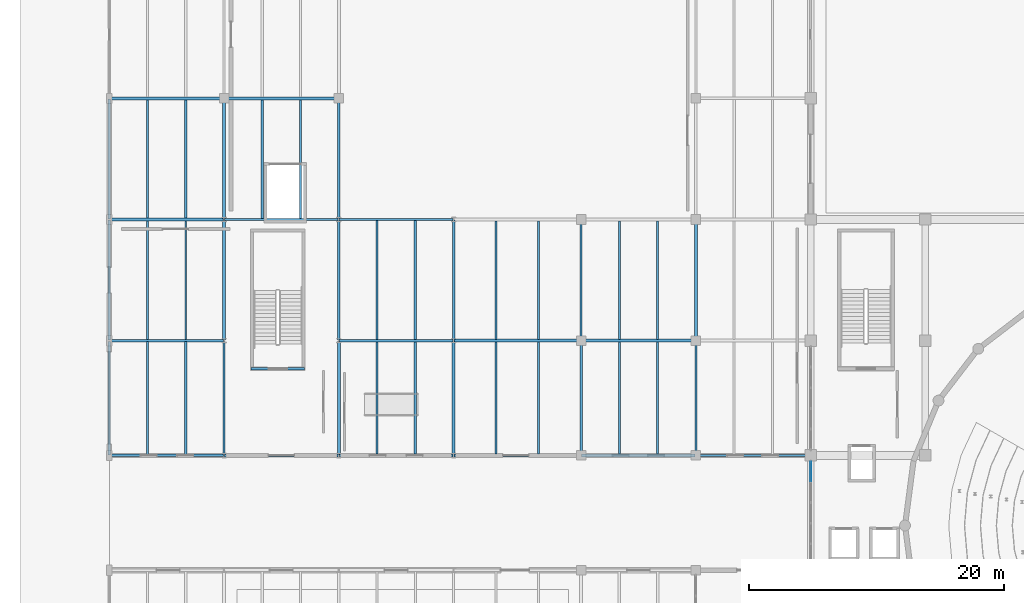
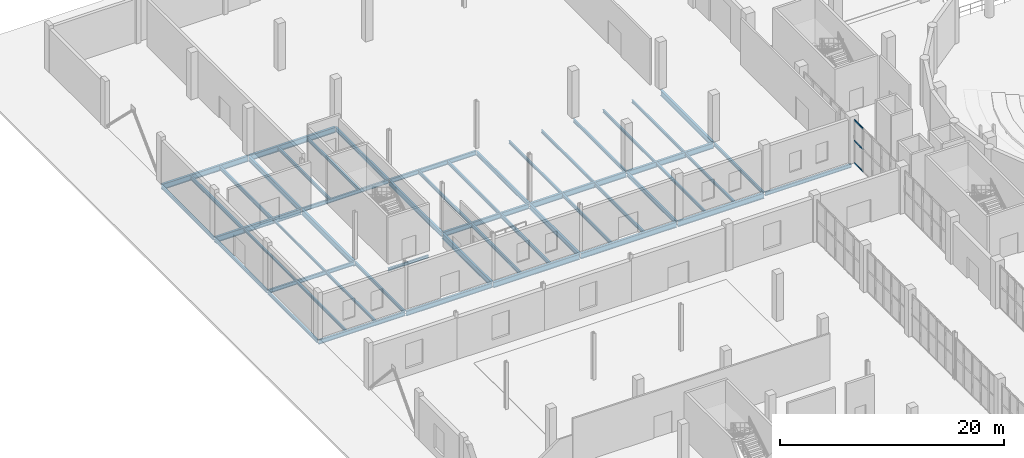
# One storey, part 48 of 103: 51 beams, 3 members, 1 element without a shape of its own.
"""IFC4 building model written with IfcOpenShell, lengths in metres."""

from ifc_helpers import new_model, si_unit, direction, frame, origin, origin_2d, place, context, subcontext, project, spatial, rectangle, i_section, extrude, material, layer, layer_set, material_profile, profile_set, type_object, element, aggregate, save


model = new_model("IFC4")

# Units and contexts
model_context = context("Model", 3, precision=1e-05, world=origin(), true_north=direction((0.0, 1.0)))
body_context = subcontext(model_context, "Body", "Model", "MODEL_VIEW")
ifc_project = project(units=[si_unit("LENGTHUNIT", "METRE"), si_unit("AREAUNIT", "SQUARE_METRE"), si_unit("VOLUMEUNIT", "CUBIC_METRE"), si_unit("PLANEANGLEUNIT", "RADIAN"), si_unit("MASSUNIT", "GRAM", prefix="KILO")], contexts=[model_context])

# Site, building, storey
site_placement = place(None, origin())
site = spatial("IfcSite", under=ifc_project, at=site_placement, CompositionType="ELEMENT")
building_placement = place(site_placement, origin())
building = spatial("IfcBuilding", under=site, at=building_placement, Name="Marnock Terrace Opera House", CompositionType="ELEMENT")
storey_placement = place(building_placement, origin())
storey = spatial("IfcBuildingStorey", under=building, at=storey_placement, Name="L00", CompositionType="ELEMENT", Elevation=0.0)

# Beams
ifc_material_1 = material(Name="Steel Grade 350 (AS/NZS 3679.1)", Category="steel")
ifc_material_profile_1 = material_profile(ifc_material_1, i_section(OverallWidth=0.1708984375, OverallDepth=0.355712890625, WebThickness=0.00732421875, FlangeThickness=0.011474609375, FilletRadius=0.011474609375, at=origin_2d()))
ifc_profile_set_1 = profile_set([ifc_material_profile_1], Name="Steel Grade 350 (AS/NZS 3679.1)")
beam_type_1 = type_object("IfcBeamType", Name="BM-GIRD-360", PredefinedType="BEAM", material=ifc_profile_set_1)
beam_1_placement = place(storey_placement, frame((9.0, 66.050048828125, -0.477783203125), z_axis=(0.0, 1.0, 0.0), x_axis=(-1.0, 0.0, 0.0)))
element("IfcBeam", 1, at=beam_1_placement, inside=storey, type_object=beam_type_1, Name="L00 girder (X=9.0, 66.0..75.0)", PredefinedType="BEAM", context=body_context, shape_type="SweptSolid", body=[
    extrude(i_section(OverallWidth=0.1708984375, OverallDepth=0.355712890625, WebThickness=0.00732421875, FlangeThickness=0.011474609375, FilletRadius=0.011474609375, at=origin_2d()), origin(), (0.0, 0.0, 1.0), 8.89990234375),
])
beam_2_placement = place(storey_placement, frame((37.0, 75.050048828125, -0.477783203125), z_axis=(0.0, 1.0, 0.0), x_axis=(-1.0, 0.0, 0.0)))
element("IfcBeam", 2, at=beam_2_placement, inside=storey, type_object=beam_type_1, Name="L00 girder (X=37.0, 75.0..84.5)", PredefinedType="BEAM", context=body_context, shape_type="SweptSolid", body=[
    extrude(i_section(OverallWidth=0.1708984375, OverallDepth=0.355712890625, WebThickness=0.00732421875, FlangeThickness=0.011474609375, FilletRadius=0.011474609375, at=origin_2d()), origin(), (0.0, 0.0, 1.0), 9.39990234375),
])
beam_3_placement = place(storey_placement, frame((46.0, 66.050048828125, -0.477783203125), z_axis=(0.0, 1.0, 0.0), x_axis=(-1.0, 0.0, 0.0)))
element("IfcBeam", 3, at=beam_3_placement, inside=storey, type_object=beam_type_1, Name="L00 girder (X=46.0, 66.0..75.0)", PredefinedType="BEAM", context=body_context, shape_type="SweptSolid", body=[
    extrude(i_section(OverallWidth=0.1708984375, OverallDepth=0.355712890625, WebThickness=0.00732421875, FlangeThickness=0.011474609375, FilletRadius=0.011474609375, at=origin_2d()), origin(), (0.0, 0.0, 1.0), 8.89990234375),
])
ifc_material_profile_2 = material_profile(ifc_material_1, i_section(OverallWidth=0.177978515625, OverallDepth=0.402587890625, WebThickness=0.007568359375, FlangeThickness=0.010986328125, FilletRadius=0.011474609375, at=origin_2d()))
ifc_profile_set_2 = profile_set([ifc_material_profile_2], Name="Steel Grade 350 (AS/NZS 3679.1)")
beam_type_2 = type_object("IfcBeamType", Name="BM-GIRD-410", PredefinedType="BEAM", material=ifc_profile_set_2)
for number, where, z_axis, x_axis, name in (
    (4, (46.050048828125, 66.0, -0.501220703125), (1.0, 0.0, 0.0), (0.0, 1.0, 0.0), "L00 girder (46.0..55.0, Y=66.0)"),
    (5, (0.050048828125, 75.0, -0.501220703125), (1.0, 0.0, 0.0), (0.0, 1.0, 0.0), "L00 girder (0.0..9.0, Y=75.0)"),
    (6, (9.050048828125, 84.5, -0.501220703125), (1.0, 0.0, 0.0), (0.0, 1.0, 0.0), "L00 girder (9.0..18.0, Y=84.5)"),
):
    element("IfcBeam", number, at=place(storey_placement, frame(where, z_axis=z_axis, x_axis=x_axis)), inside=storey, type_object=beam_type_2, Name=name, PredefinedType="BEAM", context=body_context, shape_type="SweptSolid", body=[
        extrude(i_section(OverallWidth=0.177978515625, OverallDepth=0.402587890625, WebThickness=0.007568359375, FlangeThickness=0.010986328125, FilletRadius=0.011474609375, at=origin_2d()), origin(), (0.0, 0.0, 1.0), 8.89990234375),
    ])
ifc_material_profile_3 = material_profile(ifc_material_1, i_section(OverallWidth=0.19091796875, OverallDepth=0.46044921875, WebThickness=0.010009765625, FlangeThickness=0.01611328125, FilletRadius=0.011474609375, at=origin_2d()))
ifc_profile_set_3 = profile_set([ifc_material_profile_3], Name="Steel Grade 350 (AS/NZS 3679.1)")
beam_type_3 = type_object("IfcBeamType", Name="BM-GIRD-460A", PredefinedType="BEAM", material=ifc_profile_set_3)
for number, where, z_axis, x_axis, name in (
    (7, (0.050048828125, 66.0, -0.5302734375), (1.0, 0.0, 0.0), (0.0, 1.0, 0.0), "L00 girder (0.0..9.0, Y=66.0)"),
    (8, (18.050048828125, 84.5, -0.5302734375), (1.0, 0.0, 0.0), (0.0, 1.0, 0.0), "L00 girder (18.0..27.0, Y=84.5)"),
):
    element("IfcBeam", number, at=place(storey_placement, frame(where, z_axis=z_axis, x_axis=x_axis)), inside=storey, type_object=beam_type_3, Name=name, PredefinedType="BEAM", context=body_context, shape_type="SweptSolid", body=[
        extrude(i_section(OverallWidth=0.19091796875, OverallDepth=0.46044921875, WebThickness=0.010009765625, FlangeThickness=0.01611328125, FilletRadius=0.011474609375, at=origin_2d()), origin(), (0.0, 0.0, 1.0), 8.89990234375),
    ])
ifc_material_profile_4 = material_profile(ifc_material_1, i_section(OverallWidth=0.18994140625, OverallDepth=0.45751953125, WebThickness=0.009033203125, FlangeThickness=0.014404296875, FilletRadius=0.011474609375, at=origin_2d()))
ifc_profile_set_4 = profile_set([ifc_material_profile_4], Name="Steel Grade 350 (AS/NZS 3679.1)")
beam_type_4 = type_object("IfcBeamType", Name="BM-GIRD-460B", PredefinedType="BEAM", material=ifc_profile_set_4)
for number, where, z_axis, x_axis, name in (
    (9, (18.0, 84.550048828125, -0.52880859375), (0.0, 1.0, 0.0), (-1.0, 0.0, 0.0), "L00 girder (X=18.0, 84.5..94.0)"),
    (10, (27.0, 75.050048828125, -0.52880859375), (0.0, 1.0, 0.0), (-1.0, 0.0, 0.0), "L00 girder (X=27.0, 75.0..84.5)"),
):
    element("IfcBeam", number, at=place(storey_placement, frame(where, z_axis=z_axis, x_axis=x_axis)), inside=storey, type_object=beam_type_4, Name=name, PredefinedType="BEAM", context=body_context, shape_type="SweptSolid", body=[
        extrude(i_section(OverallWidth=0.18994140625, OverallDepth=0.45751953125, WebThickness=0.009033203125, FlangeThickness=0.014404296875, FilletRadius=0.011474609375, at=origin_2d()), origin(), (0.0, 0.0, 1.0), 9.39990234375),
    ])
beam_4_placement = place(storey_placement, frame((37.0, 66.050048828125, -0.52880859375), z_axis=(0.0, 1.0, 0.0), x_axis=(-1.0, 0.0, 0.0)))
element("IfcBeam", 11, at=beam_4_placement, inside=storey, type_object=beam_type_4, Name="L00 girder (X=37.0, 66.0..75.0)", PredefinedType="BEAM", context=body_context, shape_type="SweptSolid", body=[
    extrude(i_section(OverallWidth=0.18994140625, OverallDepth=0.45751953125, WebThickness=0.009033203125, FlangeThickness=0.014404296875, FilletRadius=0.011474609375, at=origin_2d()), origin(), (0.0, 0.0, 1.0), 8.89990234375),
])
ifc_material_profile_5 = material_profile(ifc_material_1, i_section(OverallWidth=0.208984375, OverallDepth=0.532958984375, WebThickness=0.01025390625, FlangeThickness=0.015625, FilletRadius=0.013916015625, at=origin_2d()))
ifc_profile_set_5 = profile_set([ifc_material_profile_5], Name="Steel Grade 350 (AS/NZS 3679.1)")
beam_type_5 = type_object("IfcBeamType", Name="BM-GIRD-530A", PredefinedType="BEAM", material=ifc_profile_set_5)
for number, where, z_axis, x_axis, name in (
    (12, (9.050048828125, 66.0, -0.56640625), (1.0, 0.0, 0.0), (0.0, 1.0, 0.0), "L00 girder (9.0..18.0, Y=66.0)"),
    (13, (18.050048828125, 75.0, -0.56640625), (1.0, 0.0, 0.0), (0.0, 1.0, 0.0), "L00 girder (18.0..27.0, Y=75.0)"),
):
    element("IfcBeam", number, at=place(storey_placement, frame(where, z_axis=z_axis, x_axis=x_axis)), inside=storey, type_object=beam_type_5, Name=name, PredefinedType="BEAM", context=body_context, shape_type="SweptSolid", body=[
        extrude(i_section(OverallWidth=0.208984375, OverallDepth=0.532958984375, WebThickness=0.01025390625, FlangeThickness=0.015625, FilletRadius=0.013916015625, at=origin_2d()), origin(), (0.0, 0.0, 1.0), 8.89990234375),
    ])
ifc_material_profile_6 = material_profile(ifc_material_1, i_section(OverallWidth=0.208984375, OverallDepth=0.528076171875, WebThickness=0.009521484375, FlangeThickness=0.01318359375, FilletRadius=0.013916015625, at=origin_2d()))
ifc_profile_set_6 = profile_set([ifc_material_profile_6], Name="Steel Grade 350 (AS/NZS 3679.1)")
beam_type_6 = type_object("IfcBeamType", Name="BM-GIRD-530B", PredefinedType="BEAM", material=ifc_profile_set_6)
for number, where, z_axis, x_axis, name in (
    (14, (9.0, 84.550048828125, -0.56396484375), (0.0, 1.0, 0.0), (-1.0, 0.0, 0.0), "L00 girder (X=9.0, 84.5..94.0)"),
    (15, (18.0, 75.050048828125, -0.56396484375), (0.0, 1.0, 0.0), (-1.0, 0.0, 0.0), "L00 girder (X=18.0, 75.0..84.5)"),
):
    element("IfcBeam", number, at=place(storey_placement, frame(where, z_axis=z_axis, x_axis=x_axis)), inside=storey, type_object=beam_type_6, Name=name, PredefinedType="BEAM", context=body_context, shape_type="SweptSolid", body=[
        extrude(i_section(OverallWidth=0.208984375, OverallDepth=0.528076171875, WebThickness=0.009521484375, FlangeThickness=0.01318359375, FilletRadius=0.013916015625, at=origin_2d()), origin(), (0.0, 0.0, 1.0), 9.39990234375),
    ])
beam_5_placement = place(storey_placement, frame((27.0, 66.050048828125, -0.56396484375), z_axis=(0.0, 1.0, 0.0), x_axis=(-1.0, 0.0, 0.0)))
element("IfcBeam", 16, at=beam_5_placement, inside=storey, type_object=beam_type_6, Name="L00 girder (X=27.0, 66.0..75.0)", PredefinedType="BEAM", context=body_context, shape_type="SweptSolid", body=[
    extrude(i_section(OverallWidth=0.208984375, OverallDepth=0.528076171875, WebThickness=0.009521484375, FlangeThickness=0.01318359375, FilletRadius=0.013916015625, at=origin_2d()), origin(), (0.0, 0.0, 1.0), 8.89990234375),
])
ifc_material_profile_7 = material_profile(ifc_material_1, i_section(OverallWidth=0.22900390625, OverallDepth=0.611572265625, WebThickness=0.011962890625, FlangeThickness=0.01953125, FilletRadius=0.013916015625, at=origin_2d()))
ifc_profile_set_7 = profile_set([ifc_material_profile_7], Name="Steel Grade 350 (AS/NZS 3679.1)")
beam_type_7 = type_object("IfcBeamType", Name="BM-GIRD-610A", PredefinedType="BEAM", material=ifc_profile_set_7)
beam_6_placement = place(storey_placement, frame((27.050048828125, 66.0, -0.605712890625), z_axis=(1.0, 0.0, 0.0), x_axis=(0.0, 1.0, 0.0)))
element("IfcBeam", 17, at=beam_6_placement, inside=storey, type_object=beam_type_7, Name="L00 girder (27.0..37.0, Y=66.0)", PredefinedType="BEAM", context=body_context, shape_type="SweptSolid", body=[
    extrude(i_section(OverallWidth=0.22900390625, OverallDepth=0.611572265625, WebThickness=0.011962890625, FlangeThickness=0.01953125, FilletRadius=0.013916015625, at=origin_2d()), origin(), (0.0, 0.0, 1.0), 9.89990234375),
])
for number, where, z_axis, x_axis, name in (
    (18, (37.050048828125, 66.0, -0.605712890625), (1.0, 0.0, 0.0), (0.0, 1.0, 0.0), "L00 girder (37.0..46.0, Y=66.0)"),
    (19, (0.050048828125, 84.5, -0.605712890625), (1.0, 0.0, 0.0), (0.0, 1.0, 0.0), "L00 girder (0.0..9.0, Y=84.5)"),
    (20, (9.050048828125, 94.0, -0.605712890625), (1.0, 0.0, 0.0), (0.0, 1.0, 0.0), "L00 girder (9.0..18.0, Y=94.0)"),
):
    element("IfcBeam", number, at=place(storey_placement, frame(where, z_axis=z_axis, x_axis=x_axis)), inside=storey, type_object=beam_type_7, Name=name, PredefinedType="BEAM", context=body_context, shape_type="SweptSolid", body=[
        extrude(i_section(OverallWidth=0.22900390625, OverallDepth=0.611572265625, WebThickness=0.011962890625, FlangeThickness=0.01953125, FilletRadius=0.013916015625, at=origin_2d()), origin(), (0.0, 0.0, 1.0), 8.89990234375),
    ])
ifc_material_profile_8 = material_profile(ifc_material_1, i_section(OverallWidth=0.22802734375, OverallDepth=0.60693359375, WebThickness=0.01123046875, FlangeThickness=0.017333984375, FilletRadius=0.013916015625, at=origin_2d()))
ifc_profile_set_8 = profile_set([ifc_material_profile_8], Name="Steel Grade 350 (AS/NZS 3679.1)")
beam_type_8 = type_object("IfcBeamType", Name="BM-GIRD-610B", PredefinedType="BEAM", material=ifc_profile_set_8)
beam_7_placement = place(storey_placement, frame((18.050048828125, 66.0, -0.603515625), z_axis=(1.0, 0.0, 0.0), x_axis=(0.0, 1.0, 0.0)))
element("IfcBeam", 21, at=beam_7_placement, inside=storey, type_object=beam_type_8, Name="L00 girder (18.0..27.0, Y=66.0)", PredefinedType="BEAM", context=body_context, shape_type="SweptSolid", body=[
    extrude(i_section(OverallWidth=0.22802734375, OverallDepth=0.60693359375, WebThickness=0.01123046875, FlangeThickness=0.017333984375, FilletRadius=0.013916015625, at=origin_2d()), origin(), (0.0, 0.0, 1.0), 8.89990234375),
])
beam_8_placement = place(storey_placement, frame((27.050048828125, 75.0, -0.603515625), z_axis=(1.0, 0.0, 0.0), x_axis=(0.0, 1.0, 0.0)))
element("IfcBeam", 22, at=beam_8_placement, inside=storey, type_object=beam_type_8, Name="L00 girder (27.0..37.0, Y=75.0)", PredefinedType="BEAM", context=body_context, shape_type="SweptSolid", body=[
    extrude(i_section(OverallWidth=0.22802734375, OverallDepth=0.60693359375, WebThickness=0.01123046875, FlangeThickness=0.017333984375, FilletRadius=0.013916015625, at=origin_2d()), origin(), (0.0, 0.0, 1.0), 9.89990234375),
])
for number, where, z_axis, x_axis, name in (
    (23, (37.050048828125, 75.0, -0.603515625), (1.0, 0.0, 0.0), (0.0, 1.0, 0.0), "L00 girder (37.0..46.0, Y=75.0)"),
    (24, (0.050048828125, 94.0, -0.603515625), (1.0, 0.0, 0.0), (0.0, 1.0, 0.0), "L00 girder (0.0..9.0, Y=94.0)"),
):
    element("IfcBeam", number, at=place(storey_placement, frame(where, z_axis=z_axis, x_axis=x_axis)), inside=storey, type_object=beam_type_8, Name=name, PredefinedType="BEAM", context=body_context, shape_type="SweptSolid", body=[
        extrude(i_section(OverallWidth=0.22802734375, OverallDepth=0.60693359375, WebThickness=0.01123046875, FlangeThickness=0.017333984375, FilletRadius=0.013916015625, at=origin_2d()), origin(), (0.0, 0.0, 1.0), 8.89990234375),
    ])
ifc_material_profile_9 = material_profile(ifc_material_1, i_section(OverallWidth=0.22802734375, OverallDepth=0.60205078125, WebThickness=0.010498046875, FlangeThickness=0.014892578125, FilletRadius=0.013916015625, at=origin_2d()))
ifc_profile_set_9 = profile_set([ifc_material_profile_9], Name="Steel Grade 350 (AS/NZS 3679.1)")
beam_type_9 = type_object("IfcBeamType", Name="BM-GIRD-610C", PredefinedType="BEAM", material=ifc_profile_set_9)
beam_9_placement = place(storey_placement, frame((9.0, 75.050048828125, -0.60107421875), z_axis=(0.0, 1.0, 0.0), x_axis=(-1.0, 0.0, 0.0)))
element("IfcBeam", 25, at=beam_9_placement, inside=storey, type_object=beam_type_9, Name="L00 girder (X=9.0, 75.0..84.5)", PredefinedType="BEAM", context=body_context, shape_type="SweptSolid", body=[
    extrude(i_section(OverallWidth=0.22802734375, OverallDepth=0.60205078125, WebThickness=0.010498046875, FlangeThickness=0.014892578125, FilletRadius=0.013916015625, at=origin_2d()), origin(), (0.0, 0.0, 1.0), 9.39990234375),
])
beam_10_placement = place(storey_placement, frame((18.0, 66.050048828125, -0.60107421875), z_axis=(0.0, 1.0, 0.0), x_axis=(-1.0, 0.0, 0.0)))
element("IfcBeam", 26, at=beam_10_placement, inside=storey, type_object=beam_type_9, Name="L00 girder (X=18.0, 66.0..75.0)", PredefinedType="BEAM", context=body_context, shape_type="SweptSolid", body=[
    extrude(i_section(OverallWidth=0.22802734375, OverallDepth=0.60205078125, WebThickness=0.010498046875, FlangeThickness=0.014892578125, FilletRadius=0.013916015625, at=origin_2d()), origin(), (0.0, 0.0, 1.0), 8.89990234375),
])
beam_11_placement = place(storey_placement, frame((46.0, 75.050048828125, -0.60107421875), z_axis=(0.0, 1.0, 0.0), x_axis=(-1.0, 0.0, 0.0)))
element("IfcBeam", 27, at=beam_11_placement, inside=storey, type_object=beam_type_9, Name="L00 girder (X=46.0, 75.0..84.5)", PredefinedType="BEAM", context=body_context, shape_type="SweptSolid", body=[
    extrude(i_section(OverallWidth=0.22802734375, OverallDepth=0.60205078125, WebThickness=0.010498046875, FlangeThickness=0.014892578125, FilletRadius=0.013916015625, at=origin_2d()), origin(), (0.0, 0.0, 1.0), 9.39990234375),
])
ifc_material_profile_10 = material_profile(ifc_material_1, i_section(OverallWidth=0.14599609375, OverallDepth=0.256103515625, WebThickness=0.00634765625, FlangeThickness=0.010986328125, FilletRadius=0.0087890625, at=origin_2d()))
ifc_profile_set_10 = profile_set([ifc_material_profile_10], Name="Steel Grade 350 (AS/NZS 3679.1)")
beam_type_10 = type_object("IfcBeamType", Name="BM-JOIST-250", PredefinedType="JOIST", material=ifc_profile_set_10)
for number, where, z_axis, x_axis, name in (
    (28, (3.0, 75.083984375, -0.427978515625), (0.0, 1.0, 0.0), (-1.0, 0.0, 0.0), "L00 secondary joist 0.9.1"),
    (29, (6.0, 75.083984375, -0.427978515625), (0.0, 1.0, 0.0), (-1.0, 0.0, 0.0), "L00 secondary joist 0.9.2"),
):
    element("IfcBeam", number, at=place(storey_placement, frame(where, z_axis=z_axis, x_axis=x_axis)), inside=storey, type_object=beam_type_10, Name=name, PredefinedType="JOIST", context=body_context, shape_type="SweptSolid", body=[
        extrude(i_section(OverallWidth=0.14599609375, OverallDepth=0.256103515625, WebThickness=0.00634765625, FlangeThickness=0.010986328125, FilletRadius=0.0087890625, at=origin_2d()), origin(), (0.0, 0.0, 1.0), 9.306396484375),
    ])
ifc_material_profile_11 = material_profile(ifc_material_1, i_section(OverallWidth=0.166015625, OverallDepth=0.30712890625, WebThickness=0.006591796875, FlangeThickness=0.01171875, FilletRadius=0.011474609375, at=origin_2d()))
ifc_profile_set_11 = profile_set([ifc_material_profile_11], Name="Steel Grade 350 (AS/NZS 3679.1)")
beam_type_11 = type_object("IfcBeamType", Name="BM-JOIST-310A", PredefinedType="JOIST", material=ifc_profile_set_11)
for number, where, z_axis, x_axis, name in (
    (30, (30.333251953125, 75.10888671875, -0.45361328125), (0.0, 1.0, 0.0), (-1.0, 0.0, 0.0), "L00 secondary joist 3.9.1"),
    (31, (33.666748046875, 75.10888671875, -0.45361328125), (0.0, 1.0, 0.0), (-1.0, 0.0, 0.0), "L00 secondary joist 3.9.2"),
):
    element("IfcBeam", number, at=place(storey_placement, frame(where, z_axis=z_axis, x_axis=x_axis)), inside=storey, type_object=beam_type_11, Name=name, PredefinedType="JOIST", context=body_context, shape_type="SweptSolid", body=[
        extrude(i_section(OverallWidth=0.166015625, OverallDepth=0.30712890625, WebThickness=0.006591796875, FlangeThickness=0.01171875, FilletRadius=0.011474609375, at=origin_2d()), origin(), (0.0, 0.0, 1.0), 9.29150390625),
    ])
for number, where, z_axis, x_axis, name in (
    (32, (40.0, 66.109619140625, -0.45361328125), (0.0, 1.0, 0.0), (-1.0, 0.0, 0.0), "L00 secondary joist 4.8.1"),
    (33, (43.0, 66.109619140625, -0.45361328125), (0.0, 1.0, 0.0), (-1.0, 0.0, 0.0), "L00 secondary joist 4.8.2"),
):
    element("IfcBeam", number, at=place(storey_placement, frame(where, z_axis=z_axis, x_axis=x_axis)), inside=storey, type_object=beam_type_11, Name=name, PredefinedType="JOIST", context=body_context, shape_type="SweptSolid", body=[
        extrude(i_section(OverallWidth=0.166015625, OverallDepth=0.30712890625, WebThickness=0.006591796875, FlangeThickness=0.01171875, FilletRadius=0.011474609375, at=origin_2d()), origin(), (0.0, 0.0, 1.0), 8.781494140625),
    ])
ifc_material_profile_12 = material_profile(ifc_material_1, i_section(OverallWidth=0.1650390625, OverallDepth=0.3037109375, WebThickness=0.006103515625, FlangeThickness=0.01025390625, FilletRadius=0.011474609375, at=origin_2d()))
ifc_profile_set_12 = profile_set([ifc_material_profile_12], Name="Steel Grade 350 (AS/NZS 3679.1)")
beam_type_12 = type_object("IfcBeamType", Name="BM-JOIST-310B", PredefinedType="JOIST", material=ifc_profile_set_12)
for number, where, z_axis, x_axis, name in (
    (34, (3.0, 66.090576171875, -0.451904296875), (0.0, 1.0, 0.0), (-1.0, 0.0, 0.0), "L00 secondary joist 0.8.1"),
    (35, (6.0, 66.090576171875, -0.451904296875), (0.0, 1.0, 0.0), (-1.0, 0.0, 0.0), "L00 secondary joist 0.8.2"),
):
    element("IfcBeam", number, at=place(storey_placement, frame(where, z_axis=z_axis, x_axis=x_axis)), inside=storey, type_object=beam_type_12, Name=name, PredefinedType="JOIST", context=body_context, shape_type="SweptSolid", body=[
        extrude(i_section(OverallWidth=0.1650390625, OverallDepth=0.3037109375, WebThickness=0.006103515625, FlangeThickness=0.01025390625, FilletRadius=0.011474609375, at=origin_2d()), origin(), (0.0, 0.0, 1.0), 8.825439453125),
    ])
for number, where, z_axis, x_axis, name in (
    (36, (40.0, 75.10888671875, -0.451904296875), (0.0, 1.0, 0.0), (-1.0, 0.0, 0.0), "L00 secondary joist 4.9.1"),
    (37, (43.0, 75.10888671875, -0.451904296875), (0.0, 1.0, 0.0), (-1.0, 0.0, 0.0), "L00 secondary joist 4.9.2"),
):
    element("IfcBeam", number, at=place(storey_placement, frame(where, z_axis=z_axis, x_axis=x_axis)), inside=storey, type_object=beam_type_12, Name=name, PredefinedType="JOIST", context=body_context, shape_type="SweptSolid", body=[
        extrude(i_section(OverallWidth=0.1650390625, OverallDepth=0.3037109375, WebThickness=0.006103515625, FlangeThickness=0.01025390625, FilletRadius=0.011474609375, at=origin_2d()), origin(), (0.0, 0.0, 1.0), 9.29150390625),
    ])
ifc_material_profile_13 = material_profile(ifc_material_1, i_section(OverallWidth=0.172119140625, OverallDepth=0.358642578125, WebThickness=0.008056640625, FlangeThickness=0.012939453125, FilletRadius=0.011474609375, at=origin_2d()))
ifc_profile_set_13 = profile_set([ifc_material_profile_13], Name="Steel Grade 350 (AS/NZS 3679.1)")
beam_type_13 = type_object("IfcBeamType", Name="BM-JOIST-360", PredefinedType="JOIST", material=ifc_profile_set_13)
for number, where, z_axis, x_axis, name in (
    (38, (12.0, 84.583984375, -0.479248046875), (0.0, 1.0, 0.0), (-1.0, 0.0, 0.0), "L00 secondary joist 1.10.1"),
    (39, (15.0, 84.583984375, -0.479248046875), (0.0, 1.0, 0.0), (-1.0, 0.0, 0.0), "L00 secondary joist 1.10.2"),
):
    element("IfcBeam", number, at=place(storey_placement, frame(where, z_axis=z_axis, x_axis=x_axis)), inside=storey, type_object=beam_type_13, Name=name, PredefinedType="JOIST", context=body_context, shape_type="SweptSolid", body=[
        extrude(i_section(OverallWidth=0.172119140625, OverallDepth=0.358642578125, WebThickness=0.008056640625, FlangeThickness=0.012939453125, FilletRadius=0.011474609375, at=origin_2d()), origin(), (0.0, 0.0, 1.0), 9.306396484375),
    ])
for number, where, z_axis, x_axis, name in (
    (40, (21.0, 75.099609375, -0.479248046875), (0.0, 1.0, 0.0), (-1.0, 0.0, 0.0), "L00 secondary joist 2.9.1"),
    (41, (24.0, 75.099609375, -0.479248046875), (0.0, 1.0, 0.0), (-1.0, 0.0, 0.0), "L00 secondary joist 2.9.2"),
):
    element("IfcBeam", number, at=place(storey_placement, frame(where, z_axis=z_axis, x_axis=x_axis)), inside=storey, type_object=beam_type_13, Name=name, PredefinedType="JOIST", context=body_context, shape_type="SweptSolid", body=[
        extrude(i_section(OverallWidth=0.172119140625, OverallDepth=0.358642578125, WebThickness=0.008056640625, FlangeThickness=0.012939453125, FilletRadius=0.011474609375, at=origin_2d()), origin(), (0.0, 0.0, 1.0), 9.309814453125),
    ])
for number, where, z_axis, x_axis, name in (
    (42, (30.333251953125, 66.109619140625, -0.479248046875), (0.0, 1.0, 0.0), (-1.0, 0.0, 0.0), "L00 secondary joist 3.8.1"),
    (43, (33.666748046875, 66.109619140625, -0.479248046875), (0.0, 1.0, 0.0), (-1.0, 0.0, 0.0), "L00 secondary joist 3.8.2"),
):
    element("IfcBeam", number, at=place(storey_placement, frame(where, z_axis=z_axis, x_axis=x_axis)), inside=storey, type_object=beam_type_13, Name=name, PredefinedType="JOIST", context=body_context, shape_type="SweptSolid", body=[
        extrude(i_section(OverallWidth=0.172119140625, OverallDepth=0.358642578125, WebThickness=0.008056640625, FlangeThickness=0.012939453125, FilletRadius=0.011474609375, at=origin_2d()), origin(), (0.0, 0.0, 1.0), 8.781494140625),
    ])
ifc_material_profile_14 = material_profile(ifc_material_1, i_section(OverallWidth=0.177978515625, OverallDepth=0.406494140625, WebThickness=0.0078125, FlangeThickness=0.0126953125, FilletRadius=0.011474609375, at=origin_2d()))
ifc_profile_set_14 = profile_set([ifc_material_profile_14], Name="Steel Grade 350 (AS/NZS 3679.1)")
beam_type_14 = type_object("IfcBeamType", Name="BM-JOIST-410", PredefinedType="JOIST", material=ifc_profile_set_14)
for number, where, z_axis, x_axis, name in (
    (44, (3.0, 84.609619140625, -0.503173828125), (0.0, 1.0, 0.0), (-1.0, 0.0, 0.0), "L00 secondary joist 0.10.1"),
    (45, (6.0, 84.609619140625, -0.503173828125), (0.0, 1.0, 0.0), (-1.0, 0.0, 0.0), "L00 secondary joist 0.10.2"),
):
    element("IfcBeam", number, at=place(storey_placement, frame(where, z_axis=z_axis, x_axis=x_axis)), inside=storey, type_object=beam_type_14, Name=name, PredefinedType="JOIST", context=body_context, shape_type="SweptSolid", body=[
        extrude(i_section(OverallWidth=0.177978515625, OverallDepth=0.406494140625, WebThickness=0.0078125, FlangeThickness=0.0126953125, FilletRadius=0.011474609375, at=origin_2d()), origin(), (0.0, 0.0, 1.0), 9.281494140625),
    ])
for number, where, z_axis, x_axis, name in (
    (46, (21.0, 66.10888671875, -0.503173828125), (0.0, 1.0, 0.0), (-1.0, 0.0, 0.0), "L00 secondary joist 2.8.1"),
    (47, (24.0, 66.10888671875, -0.503173828125), (0.0, 1.0, 0.0), (-1.0, 0.0, 0.0), "L00 secondary joist 2.8.2"),
):
    element("IfcBeam", number, at=place(storey_placement, frame(where, z_axis=z_axis, x_axis=x_axis)), inside=storey, type_object=beam_type_14, Name=name, PredefinedType="JOIST", context=body_context, shape_type="SweptSolid", body=[
        extrude(i_section(OverallWidth=0.177978515625, OverallDepth=0.406494140625, WebThickness=0.0078125, FlangeThickness=0.0126953125, FilletRadius=0.011474609375, at=origin_2d()), origin(), (0.0, 0.0, 1.0), 8.79150390625),
    ])
ifc_material_profile_15 = material_profile(ifc_material_1, i_section(OverallWidth=0.166015625, OverallDepth=0.30712890625, WebThickness=0.006591796875, FlangeThickness=0.01171875, FilletRadius=0.011474609375, at=origin_2d()))
ifc_profile_set_15 = profile_set([ifc_material_profile_15], Name="Steel Grade 350 (AS/NZS 3679.1)")
beam_type_15 = type_object("IfcBeamType", Name="BM-LINT-310", PredefinedType="LINTEL", material=ifc_profile_set_15)
beam_12_placement = place(storey_placement, frame((11.1201171875, 72.800048828125, -0.64990234375), z_axis=(1.0, 0.0, 0.0), x_axis=(0.0, 1.0, 0.0)))
element("IfcBeam", 48, at=beam_12_placement, inside=storey, type_object=beam_type_15, Name="B1 Core C7 coupling lintel", PredefinedType="LINTEL", context=body_context, shape_type="SweptSolid", body=[
    extrude(i_section(OverallWidth=0.166015625, OverallDepth=0.30712890625, WebThickness=0.006591796875, FlangeThickness=0.01171875, FilletRadius=0.011474609375, at=origin_2d()), origin(), (0.0, 0.0, 1.0), 4.199951171875),
])
ifc_material_profile_16 = material_profile(ifc_material_1, i_section(OverallWidth=0.172119140625, OverallDepth=0.358642578125, WebThickness=0.008056640625, FlangeThickness=0.012939453125, FilletRadius=0.011474609375, at=origin_2d()))
ifc_profile_set_16 = profile_set([ifc_material_profile_16], Name="Steel Grade 350 (AS/NZS 3679.1)")
beam_type_16 = type_object("IfcBeamType", Name="BM-SPAN-360", PredefinedType="SPANDREL", material=ifc_profile_set_16)
beam_13_placement = place(storey_placement, frame((0.0, 66.050048828125, -0.479248046875), z_axis=(0.0, 1.0, 0.0), x_axis=(-1.0, 0.0, 0.0)))
element("IfcBeam", 49, at=beam_13_placement, inside=storey, type_object=beam_type_16, Name="L00 girder (X=0.0, 66.0..75.0)", PredefinedType="SPANDREL", context=body_context, shape_type="SweptSolid", body=[
    extrude(i_section(OverallWidth=0.172119140625, OverallDepth=0.358642578125, WebThickness=0.008056640625, FlangeThickness=0.012939453125, FilletRadius=0.011474609375, at=origin_2d()), origin(), (0.0, 0.0, 1.0), 8.89990234375),
])
for number, where, z_axis, x_axis, name in (
    (50, (0.0, 75.050048828125, -0.479248046875), (0.0, 1.0, 0.0), (-1.0, 0.0, 0.0), "L00 girder (X=0.0, 75.0..84.5)"),
    (51, (0.0, 84.550048828125, -0.479248046875), (0.0, 1.0, 0.0), (-1.0, 0.0, 0.0), "L00 girder (X=0.0, 84.5..94.0)"),
):
    element("IfcBeam", number, at=place(storey_placement, frame(where, z_axis=z_axis, x_axis=x_axis)), inside=storey, type_object=beam_type_16, Name=name, PredefinedType="SPANDREL", context=body_context, shape_type="SweptSolid", body=[
        extrude(i_section(OverallWidth=0.172119140625, OverallDepth=0.358642578125, WebThickness=0.008056640625, FlangeThickness=0.012939453125, FilletRadius=0.011474609375, at=origin_2d()), origin(), (0.0, 0.0, 1.0), 9.39990234375),
    ])

# Curtain wall, members
ifc_material_2 = material(Name="Anodised architectural bronze aluminium framing", Category="aluminium")
ifc_layer = layer(ifc_material_2, 0.159912109375)
ifc_layer_set = layer_set([ifc_layer], Name="Anodised architectural bronze aluminium framing")
curtain_wall_type = type_object("IfcCurtainWallType", Name="CW-FOYER-90x51", PredefinedType="NOTDEFINED", material=ifc_layer_set)
curtain_wall_placement = place(storey_placement, origin())
curtain_wall = element("IfcCurtainWall", 52, at=curtain_wall_placement, inside=storey, type_object=curtain_wall_type, Name="L00 glazed Beaux-Arts colonnade curtain wall CW-V1W-L00-07", PredefinedType="NOTDEFINED")
ifc_material_profile_17 = material_profile(ifc_material_2, rectangle(XDim=0.06005859375, YDim=0.1298828125, at=origin_2d()))
ifc_profile_set_17 = profile_set([ifc_material_profile_17], Name="Anodised architectural bronze aluminium framing")
member_type = type_object("IfcMemberType", Name="CWT-60x130", PredefinedType="USERDEFINED", material=ifc_profile_set_17)
member_1_placement = place(storey_placement, frame((55.0, 63.96240234375, 0.030029296875), z_axis=(0.0, 1.0, 0.0), x_axis=(-1.0, 0.0, 0.0)))
member_1 = element("IfcMember", 53, at=member_1_placement, type_object=member_type, Name="CW-31 transom 5.1", ObjectType="TRANSOM", PredefinedType="USERDEFINED", context=body_context, shape_type="SweptSolid", body=[
    extrude(rectangle(XDim=0.06005859375, YDim=0.1298828125, at=origin_2d()), origin(), (0.0, 0.0, 1.0), 1.531494140625),
])
member_2_placement = place(storey_placement, frame((55.0, 63.96240234375, 2.4619140625), z_axis=(0.0, 1.0, 0.0), x_axis=(-1.0, 0.0, 0.0)))
member_2 = element("IfcMember", 54, at=member_2_placement, type_object=member_type, Name="CW-31 transom 5.2", ObjectType="TRANSOM", PredefinedType="USERDEFINED", context=body_context, shape_type="SweptSolid", body=[
    extrude(rectangle(XDim=0.06005859375, YDim=0.1298828125, at=origin_2d()), origin(), (0.0, 0.0, 1.0), 1.531494140625),
])
member_3_placement = place(storey_placement, frame((55.0, 63.96240234375, 4.704345703125), z_axis=(0.0, 1.0, 0.0), x_axis=(-1.0, 0.0, 0.0)))
member_3 = element("IfcMember", 55, at=member_3_placement, type_object=member_type, Name="CW-31 transom 5.3", ObjectType="TRANSOM", PredefinedType="USERDEFINED", context=body_context, shape_type="SweptSolid", body=[
    extrude(rectangle(XDim=0.06005859375, YDim=0.1298828125, at=origin_2d()), origin(), (0.0, 0.0, 1.0), 1.531494140625),
])
aggregate(curtain_wall, [member_1, member_2, member_3])

save(model, "model.ifc")
